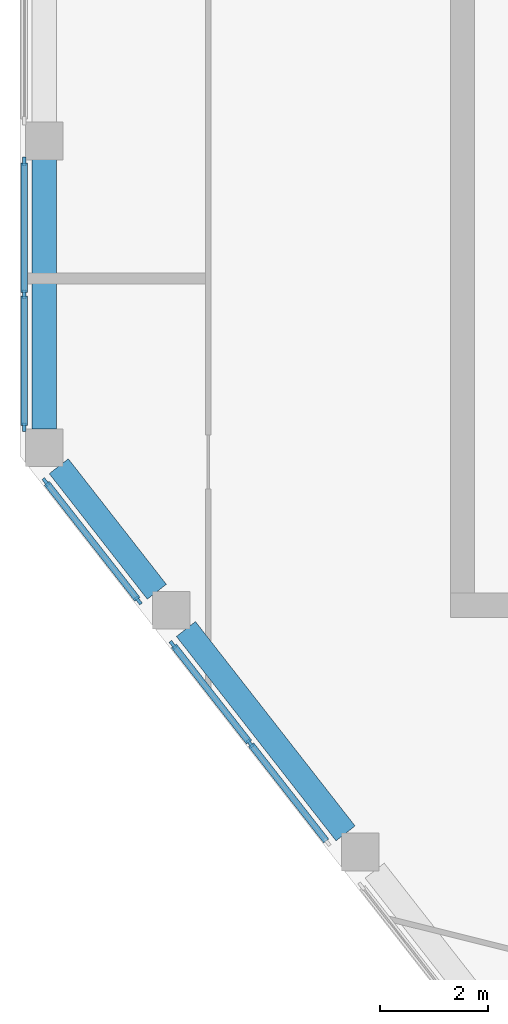
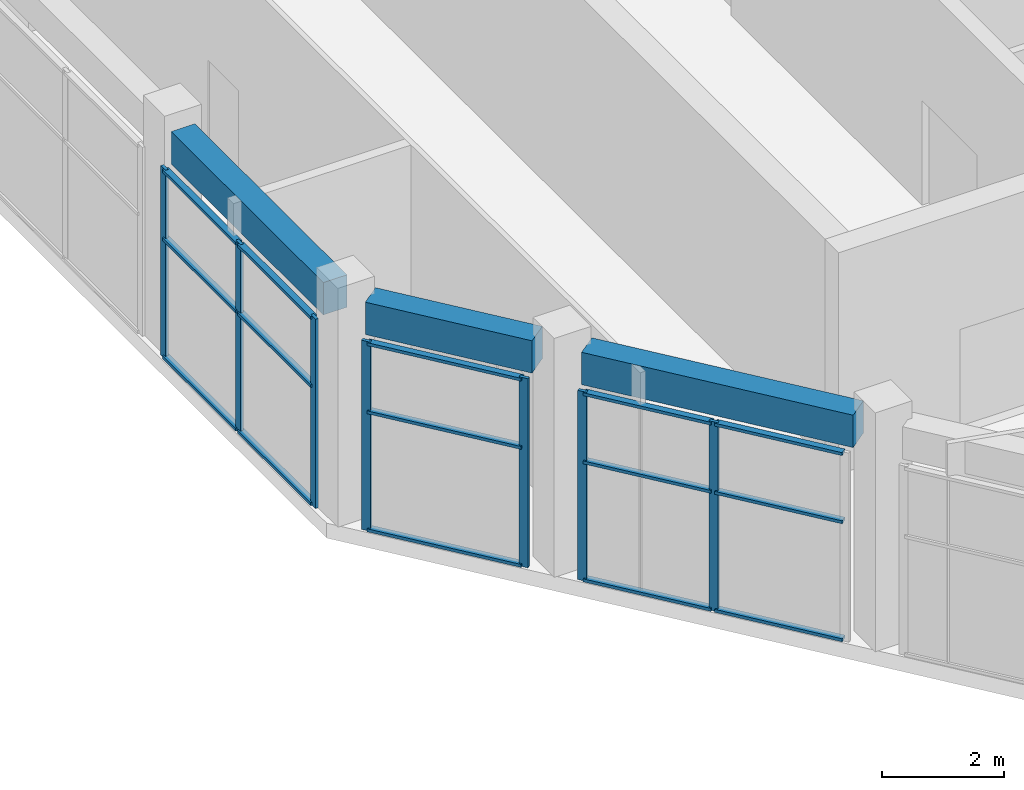
# One storey, part 3 of 10: 22 members, 3 beams, 3 elements without a shape of their own.
"""IFC4 building model written with IfcOpenShell, lengths in metres."""

from ifc_helpers import new_model, si_unit, direction, frame, origin, origin_2d, place, context, subcontext, project, spatial, rectangle, extrude, material, material_profile, profile_set, type_object, element, aggregate, save


model = new_model("IFC4")

# Units and contexts
model_context = context("Model", 3, precision=1e-05, world=origin(), true_north=direction((0.0, 1.0)))
body_context = subcontext(model_context, "Body", "Model", "MODEL_VIEW")
ifc_project = project(units=[si_unit("LENGTHUNIT", "METRE"), si_unit("AREAUNIT", "SQUARE_METRE"), si_unit("VOLUMEUNIT", "CUBIC_METRE"), si_unit("PLANEANGLEUNIT", "RADIAN"), si_unit("MASSUNIT", "GRAM", prefix="KILO")], contexts=[model_context])

# Site, building, storey
site_placement = place(None, origin())
site = spatial("IfcSite", under=ifc_project, at=site_placement, CompositionType="ELEMENT")
building_placement = place(site_placement, origin())
building = spatial("IfcBuilding", under=site, at=building_placement, Name="Meshkara Civic Tower", CompositionType="ELEMENT")
storey_placement = place(building_placement, frame((0.0, 0.0, 424.199951171875)))
storey = spatial("IfcBuildingStorey", under=building, at=storey_placement, Name="L97 Crown", CompositionType="ELEMENT", Elevation=424.199951171875)

# Curtain wall, members
ifc_material_1 = material(Name="Tinted double glazing", Category="glass")
curtain_wall_type = type_object("IfcCurtainWallType", Name="CW CROWN LANTERN", PredefinedType="NOTDEFINED", material=ifc_material_1)
curtain_wall_1_placement = place(storey_placement, origin())
curtain_wall_1 = element("IfcCurtainWall", 1, at=curtain_wall_1_placement, inside=storey, type_object=curtain_wall_type, Name="Curtain wall CW3", PredefinedType="NOTDEFINED")
ifc_material_2 = material(Name="Bronze anodised aluminium", Category="aluminium")
ifc_material_profile_1 = material_profile(ifc_material_2, rectangle(XDim=0.06005859375, YDim=0.159912109375, at=origin_2d()))
ifc_profile_set_1 = profile_set([ifc_material_profile_1], Name="Bronze anodised aluminium")
member_type_1 = type_object("IfcMemberType", Name="CW MULLION 60x160", PredefinedType="MULLION", material=ifc_profile_set_1)
member_1_placement = place(storey_placement, frame((0.080078125, 22.574951171875, 0.0), z_axis=(0.0, 0.0, 1.0), x_axis=(1.0, 0.0, 0.0)))
member_1 = element("IfcMember", 2, at=member_1_placement, type_object=member_type_1, Name="CW3 mullion 1", PredefinedType="MULLION", context=body_context, shape_type="SweptSolid", body=[
    extrude(rectangle(XDim=0.06005859375, YDim=0.159912109375, at=origin_2d()), origin(), (0.0, 0.0, 1.0), 3.800048828125),
])
member_2_placement = place(storey_placement, frame((0.080078125, 20.10498046875, 0.0), z_axis=(0.0, 0.0, 1.0), x_axis=(1.0, 0.0, 0.0)))
member_2 = element("IfcMember", 3, at=member_2_placement, type_object=member_type_1, Name="CW3 mullion 2", PredefinedType="MULLION", context=body_context, shape_type="SweptSolid", body=[
    extrude(rectangle(XDim=0.06005859375, YDim=0.159912109375, at=origin_2d()), origin(), (0.0, 0.0, 1.0), 3.800048828125),
])
member_3_placement = place(storey_placement, frame((0.080078125, 17.635009765625, 0.0), z_axis=(0.0, 0.0, 1.0), x_axis=(1.0, 0.0, 0.0)))
member_3 = element("IfcMember", 4, at=member_3_placement, type_object=member_type_1, Name="CW3 mullion 3", PredefinedType="MULLION", context=body_context, shape_type="SweptSolid", body=[
    extrude(rectangle(XDim=0.06005859375, YDim=0.159912109375, at=origin_2d()), origin(), (0.0, 0.0, 1.0), 3.800048828125),
])

curtain_wall_2_placement = place(storey_placement, origin())
curtain_wall_2 = element("IfcCurtainWall", 5, at=curtain_wall_2_placement, inside=storey, type_object=curtain_wall_type, Name="Curtain wall CW3", PredefinedType="NOTDEFINED")
member_4_placement = place(storey_placement, frame((0.4794921875, 16.616455078125, 0.0), z_axis=(0.0, 0.0, 1.0), x_axis=(0.78808803542, 0.615562546316, 0.0)))
member_4 = element("IfcMember", 6, at=member_4_placement, type_object=member_type_1, Name="CW3 mullion 1", PredefinedType="MULLION", context=body_context, shape_type="SweptSolid", body=[
    extrude(rectangle(XDim=0.06005859375, YDim=0.159912109375, at=origin_2d()), origin(), (0.0, 0.0, 1.0), 3.800048828125),
])
member_5_placement = place(storey_placement, frame((2.201416015625, 14.41162109375, 0.0), z_axis=(0.0, 0.0, 1.0), x_axis=(0.78808803542, 0.615562546316, 0.0)))
member_5 = element("IfcMember", 7, at=member_5_placement, type_object=member_type_1, Name="CW3 mullion 2", PredefinedType="MULLION", context=body_context, shape_type="SweptSolid", body=[
    extrude(rectangle(XDim=0.06005859375, YDim=0.159912109375, at=origin_2d()), origin(), (0.0, 0.0, 1.0), 3.800048828125),
])

curtain_wall_3_placement = place(storey_placement, origin())
curtain_wall_3 = element("IfcCurtainWall", 8, at=curtain_wall_3_placement, inside=storey, type_object=curtain_wall_type, Name="Curtain wall CW3", PredefinedType="NOTDEFINED")
member_6_placement = place(storey_placement, frame((2.843505859375, 13.59033203125, 0.0), z_axis=(0.0, 0.0, 1.0), x_axis=(0.788014731293, 0.615656384086, 0.0)))
member_6 = element("IfcMember", 9, at=member_6_placement, type_object=member_type_1, Name="CW3 mullion 1", PredefinedType="MULLION", context=body_context, shape_type="SweptSolid", body=[
    extrude(rectangle(XDim=0.06005859375, YDim=0.159912109375, at=origin_2d()), origin(), (0.0, 0.0, 1.0), 3.800048828125),
])
member_7_placement = place(storey_placement, frame((4.277099609375, 11.755615234375, 0.0), z_axis=(0.0, 0.0, 1.0), x_axis=(0.788014731293, 0.615656384086, 0.0)))
member_7 = element("IfcMember", 10, at=member_7_placement, type_object=member_type_1, Name="CW3 mullion 2", PredefinedType="MULLION", context=body_context, shape_type="SweptSolid", body=[
    extrude(rectangle(XDim=0.06005859375, YDim=0.159912109375, at=origin_2d()), origin(), (0.0, 0.0, 1.0), 3.800048828125),
])

# Member
ifc_material_3 = material(Name="Bronze anodised aluminium", Category="aluminium")
ifc_material_profile_2 = material_profile(ifc_material_3, rectangle(XDim=0.1201171875, YDim=0.06005859375, at=origin_2d()))
ifc_profile_set_2 = profile_set([ifc_material_profile_2], Name="Bronze anodised aluminium")
member_type_2 = type_object("IfcMemberType", Name="CW TRANSOM 60x120", PredefinedType="USERDEFINED", material=ifc_profile_set_2)
member_8_placement = place(storey_placement, frame((0.080078125, 22.544921875, 0.030029296875), z_axis=(0.0, -1.0, 0.0), x_axis=(1.0, 0.0, 0.0)))
member_8 = element("IfcMember", 11, at=member_8_placement, type_object=member_type_2, Name="CW3 transom 1.1", ObjectType="TRANSOM", PredefinedType="USERDEFINED", context=body_context, shape_type="SweptSolid", body=[
    extrude(rectangle(XDim=0.1201171875, YDim=0.06005859375, at=origin_2d()), origin(), (0.0, 0.0, 1.0), 2.409912109375),
])

member_9_placement = place(storey_placement, frame((0.080078125, 22.544921875, 2.400146484375), z_axis=(0.0, -1.0, 0.0), x_axis=(1.0, 0.0, 0.0)))
member_9 = element("IfcMember", 12, at=member_9_placement, type_object=member_type_2, Name="CW3 transom 1.2", ObjectType="TRANSOM", PredefinedType="USERDEFINED", context=body_context, shape_type="SweptSolid", body=[
    extrude(rectangle(XDim=0.1201171875, YDim=0.06005859375, at=origin_2d()), origin(), (0.0, 0.0, 1.0), 2.409912109375),
])

member_10_placement = place(storey_placement, frame((0.080078125, 22.544921875, 3.77001953125), z_axis=(0.0, -1.0, 0.0), x_axis=(1.0, 0.0, 0.0)))
member_10 = element("IfcMember", 13, at=member_10_placement, type_object=member_type_2, Name="CW3 transom 1.3", ObjectType="TRANSOM", PredefinedType="USERDEFINED", context=body_context, shape_type="SweptSolid", body=[
    extrude(rectangle(XDim=0.1201171875, YDim=0.06005859375, at=origin_2d()), origin(), (0.0, 0.0, 1.0), 2.409912109375),
])

member_11_placement = place(storey_placement, frame((0.080078125, 20.074951171875, 0.030029296875), z_axis=(0.0, -1.0, 0.0), x_axis=(1.0, 0.0, 0.0)))
member_11 = element("IfcMember", 14, at=member_11_placement, type_object=member_type_2, Name="CW3 transom 2.1", ObjectType="TRANSOM", PredefinedType="USERDEFINED", context=body_context, shape_type="SweptSolid", body=[
    extrude(rectangle(XDim=0.1201171875, YDim=0.06005859375, at=origin_2d()), origin(), (0.0, 0.0, 1.0), 2.409912109375),
])

member_12_placement = place(storey_placement, frame((0.080078125, 20.074951171875, 2.400146484375), z_axis=(0.0, -1.0, 0.0), x_axis=(1.0, 0.0, 0.0)))
member_12 = element("IfcMember", 15, at=member_12_placement, type_object=member_type_2, Name="CW3 transom 2.2", ObjectType="TRANSOM", PredefinedType="USERDEFINED", context=body_context, shape_type="SweptSolid", body=[
    extrude(rectangle(XDim=0.1201171875, YDim=0.06005859375, at=origin_2d()), origin(), (0.0, 0.0, 1.0), 2.409912109375),
])

member_13_placement = place(storey_placement, frame((0.080078125, 20.074951171875, 3.77001953125), z_axis=(0.0, -1.0, 0.0), x_axis=(1.0, 0.0, 0.0)))
member_13 = element("IfcMember", 16, at=member_13_placement, type_object=member_type_2, Name="CW3 transom 2.3", ObjectType="TRANSOM", PredefinedType="USERDEFINED", context=body_context, shape_type="SweptSolid", body=[
    extrude(rectangle(XDim=0.1201171875, YDim=0.06005859375, at=origin_2d()), origin(), (0.0, 0.0, 1.0), 2.409912109375),
])

aggregate(curtain_wall_1, [member_1, member_2, member_3, member_8, member_9, member_10, member_11, member_12, member_13])

member_14_placement = place(storey_placement, frame((0.498046875, 16.5927734375, 0.030029296875), z_axis=(0.61553846672, -0.788106843003, 0.0), x_axis=(0.788106843003, 0.61553846672, 0.0)))
member_14 = element("IfcMember", 17, at=member_14_placement, type_object=member_type_2, Name="CW3 transom 1.1", ObjectType="TRANSOM", PredefinedType="USERDEFINED", context=body_context, shape_type="SweptSolid", body=[
    extrude(rectangle(XDim=0.1201171875, YDim=0.06005859375, at=origin_2d()), origin(), (0.0, 0.0, 1.0), 2.737548828125),
])

member_15_placement = place(storey_placement, frame((0.498046875, 16.5927734375, 2.400146484375), z_axis=(0.61553846672, -0.788106843003, 0.0), x_axis=(0.788106843003, 0.61553846672, 0.0)))
member_15 = element("IfcMember", 18, at=member_15_placement, type_object=member_type_2, Name="CW3 transom 1.2", ObjectType="TRANSOM", PredefinedType="USERDEFINED", context=body_context, shape_type="SweptSolid", body=[
    extrude(rectangle(XDim=0.1201171875, YDim=0.06005859375, at=origin_2d()), origin(), (0.0, 0.0, 1.0), 2.737548828125),
])

member_16_placement = place(storey_placement, frame((0.498046875, 16.5927734375, 3.77001953125), z_axis=(0.61553846672, -0.788106843003, 0.0), x_axis=(0.788106843003, 0.61553846672, 0.0)))
member_16 = element("IfcMember", 19, at=member_16_placement, type_object=member_type_2, Name="CW3 transom 1.3", ObjectType="TRANSOM", PredefinedType="USERDEFINED", context=body_context, shape_type="SweptSolid", body=[
    extrude(rectangle(XDim=0.1201171875, YDim=0.06005859375, at=origin_2d()), origin(), (0.0, 0.0, 1.0), 2.737548828125),
])

aggregate(curtain_wall_2, [member_4, member_5, member_14, member_15, member_16])

member_17_placement = place(storey_placement, frame((2.862060546875, 13.566650390625, 0.030029296875), z_axis=(0.615623156094, -0.788040690371, 0.0), x_axis=(0.788040690371, 0.615623156094, 0.0)))
member_17 = element("IfcMember", 20, at=member_17_placement, type_object=member_type_2, Name="CW3 transom 1.1", ObjectType="TRANSOM", PredefinedType="USERDEFINED", context=body_context, shape_type="SweptSolid", body=[
    extrude(rectangle(XDim=0.1201171875, YDim=0.06005859375, at=origin_2d()), origin(), (0.0, 0.0, 1.0), 2.268310546875),
])

member_18_placement = place(storey_placement, frame((2.862060546875, 13.566650390625, 2.400146484375), z_axis=(0.615623156094, -0.788040690371, 0.0), x_axis=(0.788040690371, 0.615623156094, 0.0)))
member_18 = element("IfcMember", 21, at=member_18_placement, type_object=member_type_2, Name="CW3 transom 1.2", ObjectType="TRANSOM", PredefinedType="USERDEFINED", context=body_context, shape_type="SweptSolid", body=[
    extrude(rectangle(XDim=0.1201171875, YDim=0.06005859375, at=origin_2d()), origin(), (0.0, 0.0, 1.0), 2.268310546875),
])

member_19_placement = place(storey_placement, frame((2.862060546875, 13.566650390625, 3.77001953125), z_axis=(0.615623156094, -0.788040690371, 0.0), x_axis=(0.788040690371, 0.615623156094, 0.0)))
member_19 = element("IfcMember", 22, at=member_19_placement, type_object=member_type_2, Name="CW3 transom 1.3", ObjectType="TRANSOM", PredefinedType="USERDEFINED", context=body_context, shape_type="SweptSolid", body=[
    extrude(rectangle(XDim=0.1201171875, YDim=0.06005859375, at=origin_2d()), origin(), (0.0, 0.0, 1.0), 2.268310546875),
])

member_20_placement = place(storey_placement, frame((4.29541015625, 11.73193359375, 0.030029296875), z_axis=(0.615689986337, -0.787988477532, 0.0), x_axis=(0.787988477532, 0.615689986337, 0.0)))
member_20 = element("IfcMember", 23, at=member_20_placement, type_object=member_type_2, Name="CW3 transom 2.1", ObjectType="TRANSOM", PredefinedType="USERDEFINED", context=body_context, shape_type="SweptSolid", body=[
    extrude(rectangle(XDim=0.1201171875, YDim=0.06005859375, at=origin_2d()), origin(), (0.0, 0.0, 1.0), 2.2685546875),
])

member_21_placement = place(storey_placement, frame((4.29541015625, 11.73193359375, 2.400146484375), z_axis=(0.615689986337, -0.787988477532, 0.0), x_axis=(0.787988477532, 0.615689986337, 0.0)))
member_21 = element("IfcMember", 24, at=member_21_placement, type_object=member_type_2, Name="CW3 transom 2.2", ObjectType="TRANSOM", PredefinedType="USERDEFINED", context=body_context, shape_type="SweptSolid", body=[
    extrude(rectangle(XDim=0.1201171875, YDim=0.06005859375, at=origin_2d()), origin(), (0.0, 0.0, 1.0), 2.2685546875),
])

member_22_placement = place(storey_placement, frame((4.29541015625, 11.73193359375, 3.77001953125), z_axis=(0.615689986337, -0.787988477532, 0.0), x_axis=(0.787988477532, 0.615689986337, 0.0)))
member_22 = element("IfcMember", 25, at=member_22_placement, type_object=member_type_2, Name="CW3 transom 2.3", ObjectType="TRANSOM", PredefinedType="USERDEFINED", context=body_context, shape_type="SweptSolid", body=[
    extrude(rectangle(XDim=0.1201171875, YDim=0.06005859375, at=origin_2d()), origin(), (0.0, 0.0, 1.0), 2.2685546875),
])

aggregate(curtain_wall_3, [member_6, member_7, member_17, member_18, member_19, member_20, member_21, member_22])

# Beams
ifc_material_4 = material(Name="Concrete C50", Category="concrete")
ifc_material_profile_3 = material_profile(ifc_material_4, rectangle(XDim=0.449951171875, YDim=0.64990234375, at=origin_2d()))
ifc_profile_set_3 = profile_set([ifc_material_profile_3], Name="Concrete C50")
beam_type = type_object("IfcBeamType", Name="Spandrel beam RC 450x650 C50", PredefinedType="BEAM", material=ifc_profile_set_3)
beam_1_placement = place(storey_placement, frame((0.449951171875, 22.610107421875, 4.125), z_axis=(0.0, -1.0, 0.0), x_axis=(1.0, 0.0, 0.0)))
element("IfcBeam", 26, at=beam_1_placement, inside=storey, type_object=beam_type, Name="Spandrel beam AW00-AW01", PredefinedType="BEAM", context=body_context, shape_type="SweptSolid", body=[
    extrude(rectangle(XDim=0.449951171875, YDim=0.64990234375, at=origin_2d()), origin(), (0.0, 0.0, 1.0), 5.010009765625),
])
beam_2_placement = place(storey_placement, frame((0.720458984375, 16.908935546875, 4.125), z_axis=(0.615645641735, -0.788023123908, 0.0), x_axis=(0.788023123908, 0.615645641735, 0.0)))
element("IfcBeam", 27, at=beam_2_placement, inside=storey, type_object=beam_type, Name="Spandrel beam AW00-BOW04", PredefinedType="BEAM", context=body_context, shape_type="SweptSolid", body=[
    extrude(rectangle(XDim=0.449951171875, YDim=0.64990234375, at=origin_2d()), origin(), (0.0, 0.0, 1.0), 2.96142578125),
])
beam_3_placement = place(storey_placement, frame((3.084228515625, 13.8828125, 4.125), z_axis=(0.615632251353, -0.788033585004, 0.0), x_axis=(0.788033585004, 0.615632251353, 0.0)))
element("IfcBeam", 28, at=beam_3_placement, inside=storey, type_object=beam_type, Name="Spandrel beam BOW03-BOW04", PredefinedType="BEAM", context=body_context, shape_type="SweptSolid", body=[
    extrude(rectangle(XDim=0.449951171875, YDim=0.64990234375, at=origin_2d()), origin(), (0.0, 0.0, 1.0), 4.82177734375),
])

save(model, "model.ifc")
